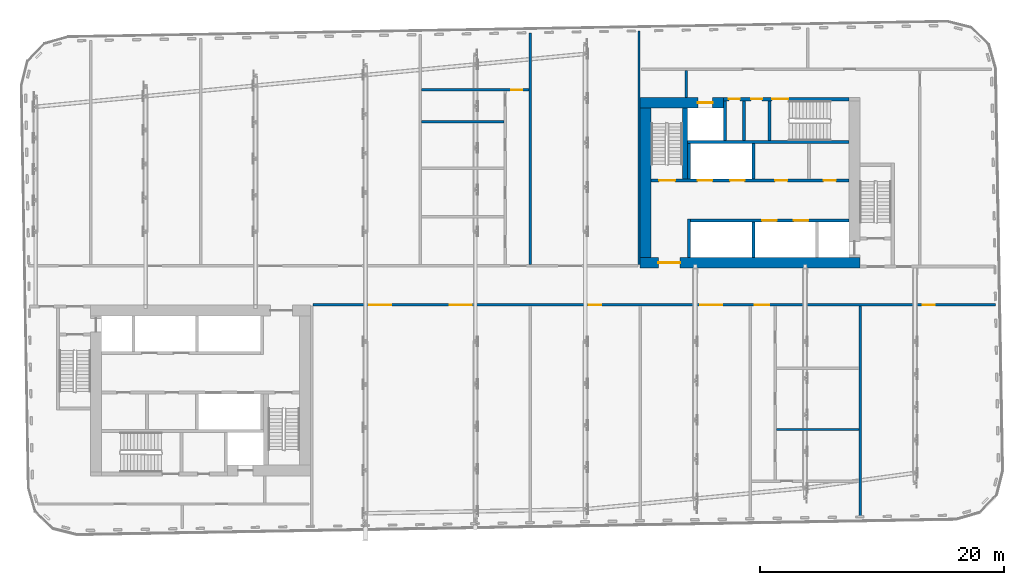
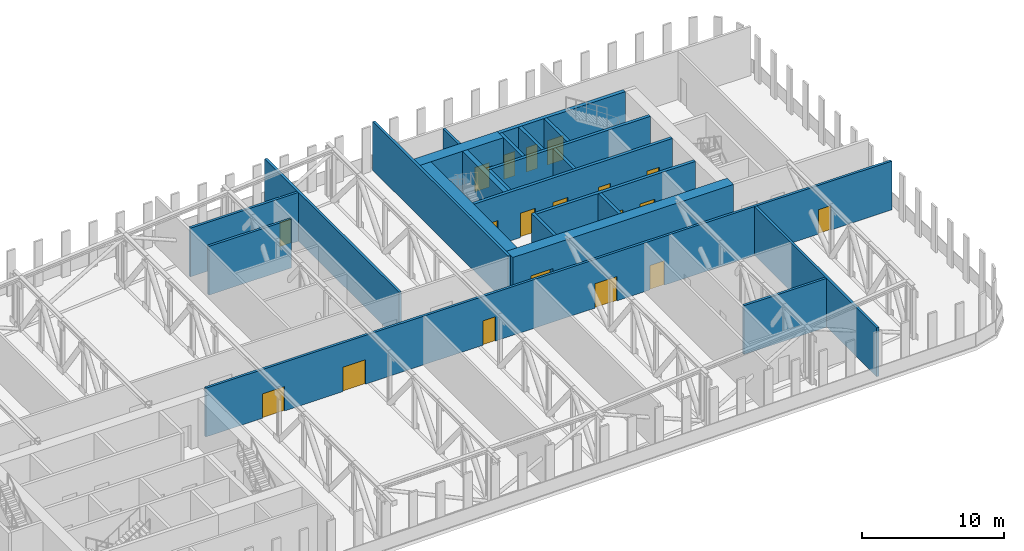
# One storey, part 12 of 26: 23 walls, 19 doors, 19 openings.
"""IFC4 building model written with IfcOpenShell, lengths in metres."""

import ifcopenshell
import ifcopenshell.guid

model = None  # the IFC model being written
_history = None  # IfcOwnerHistory: only IFC2X3 demands one
_inside = {}  # id of a spatial element -> (the spatial element, [elements in it])
_under = {}  # id of a project, library or spatial element -> (it, [spatial elements below it])
_declared = {}  # id of a project -> (the project, [libraries it declares])
_typed = {}  # id of a type object -> (the type object, [elements of that type])
_made_of = {}  # id of a material, layer set ... -> (it, [elements and type objects made of it])


def new_model(schema):
    """Start an empty IFC model of exactly this schema.

    Asked for "IFC4X3", IfcOpenShell would pick the latest addendum, in which some entities
    have other attributes; the version numbers below select the first issue.
    IFC2X3 requires an IfcOwnerHistory on every rooted entity: one is made here for all.
    """
    global model, _history
    if schema == "IFC4X3":
        model = ifcopenshell.file(schema_version=(4, 3, 0, 0))
    else:
        model = ifcopenshell.file(schema=schema)
    _inside.clear()
    _under.clear()
    _declared.clear()
    _typed.clear()
    _made_of.clear()
    _history = None
    if model.schema == "IFC2X3":
        org = make("IfcOrganization", Name="unknown")
        user = make(
            "IfcPersonAndOrganization",
            ThePerson=make("IfcPerson", FamilyName="unknown"),
            TheOrganization=org,
        )
        app = make(
            "IfcApplication",
            ApplicationDeveloper=org,
            Version="unknown",
            ApplicationFullName="unknown",
            ApplicationIdentifier="unknown",
        )
        _history = make(
            "IfcOwnerHistory",
            OwningUser=user,
            OwningApplication=app,
            ChangeAction="ADDED",
            CreationDate=0,
        )
    return model


def make(cls, **values):
    """One entity of the class cls with the attributes given. An attribute that is None is left unset."""
    return model.create_entity(
        cls, **{name: value for name, value in values.items() if value is not None}
    )


def rooted(cls, **values):
    """An entity with a GlobalId (a new one), such as an element, a storey or a relation."""
    return make(cls, GlobalId=ifcopenshell.guid.new(), OwnerHistory=_history, **values)


def si_unit(unit_type, name, prefix=None):
    """IfcSIUnit, for example si_unit("LENGTHUNIT", "METRE", prefix="MILLI")."""
    return make("IfcSIUnit", UnitType=unit_type, Prefix=prefix, Name=name)


def assignment(units):
    """IfcUnitAssignment: the units of a project."""
    return None if units is None else make("IfcUnitAssignment", Units=units)


def point(xyz):
    """IfcCartesianPoint."""
    return None if xyz is None else make("IfcCartesianPoint", Coordinates=xyz)


def direction(xyz):
    """IfcDirection."""
    return None if xyz is None else make("IfcDirection", DirectionRatios=xyz)


def frame(location, z_axis=None, x_axis=None):
    """IfcAxis2Placement3D, a coordinate frame: its origin and axes. An axis left out is left unset."""
    return make(
        "IfcAxis2Placement3D",
        Location=point(location),
        Axis=direction(z_axis),
        RefDirection=direction(x_axis),
    )


def frame_2d(location, x_axis=None):
    """IfcAxis2Placement2D, a coordinate frame in the plane: its origin and x axis."""
    return make(
        "IfcAxis2Placement2D", Location=point(location), RefDirection=direction(x_axis)
    )


def origin():
    """The frame at (0, 0, 0) with its axes left unset."""
    return frame((0.0, 0.0, 0.0))


def place(relative_to, where):
    """IfcLocalPlacement: puts the frame where relative to a parent placement (None: the world)."""
    return make(
        "IfcLocalPlacement", PlacementRelTo=relative_to, RelativePlacement=where
    )


def context(
    kind, dimensions, precision=None, world=None, true_north=None, identifier=None
):
    """IfcGeometricRepresentationContext, for example the 3D "Model" context."""
    return make(
        "IfcGeometricRepresentationContext",
        ContextIdentifier=identifier,
        ContextType=kind,
        CoordinateSpaceDimension=dimensions,
        Precision=precision,
        WorldCoordinateSystem=world,
        TrueNorth=true_north,
    )


def subcontext(parent, identifier, kind, view, scale=None):
    """IfcGeometricRepresentationSubContext, for example "Body" below "Model"."""
    return make(
        "IfcGeometricRepresentationSubContext",
        ContextIdentifier=identifier,
        ContextType=kind,
        ParentContext=parent,
        TargetScale=scale,
        TargetView=view,
    )


def project(units=None, contexts=None):
    """IfcProject with its units and contexts."""
    return rooted(
        "IfcProject",
        Name="project",
        RepresentationContexts=contexts,
        UnitsInContext=assignment(units),
    )


def spatial(cls, under=None, at=None, **own):
    """A site, building, storey or space (cls), placed at a placement, below another one or the project."""
    s = rooted(cls, ObjectPlacement=at, **own)
    if under is not None:
        _under.setdefault(under.id(), (under, []))[1].append(s)
    return s


def profile(cls, at=None, kind="AREA", **sizes):
    """A parametric profile (cls). Its sizes go by their IFC names, for example OverallWidth=200.0."""
    return make(cls, ProfileType=kind, Position=at, **sizes)


def rectangle(**sizes):
    """IfcRectangleProfileDef."""
    return profile("IfcRectangleProfileDef", **sizes)


def extrude(swept, where, along, depth):
    """IfcExtrudedAreaSolid: the profile swept, set in the frame where, extruded along a direction by depth."""
    return make(
        "IfcExtrudedAreaSolid",
        SweptArea=swept,
        Position=where,
        ExtrudedDirection=direction(along),
        Depth=depth,
    )


def shape(context_of_items, identifier, shape_type, items):
    """IfcShapeRepresentation: the items that make up one representation, for example the "Body"."""
    return make(
        "IfcShapeRepresentation",
        ContextOfItems=context_of_items,
        RepresentationIdentifier=identifier,
        RepresentationType=shape_type,
        Items=items,
    )


def material(Name=None, Category=None):
    """IfcMaterial."""
    return make("IfcMaterial", Name=Name, Category=Category)


def layer(
    of_material, thickness, ventilated=None, Name=None, Category=None, Priority=None
):
    """IfcMaterialLayer: one layer of a wall or slab, of a material (None: an air gap)."""
    return make(
        "IfcMaterialLayer",
        Material=of_material,
        LayerThickness=thickness,
        IsVentilated=ventilated,
        Name=Name,
        Category=Category,
        Priority=Priority,
    )


def layer_set(layers, Name=None):
    """IfcMaterialLayerSet."""
    return make("IfcMaterialLayerSet", MaterialLayers=layers, LayerSetName=Name)


def made_of(thing, what):
    """Note that an element or type object is made of a material, layer set ...; save() writes the relation."""
    if what is not None:
        _made_of.setdefault(what.id(), (what, []))[1].append(thing)
    return thing


def type_object(cls, material=None, **own):
    """A type object (cls), such as IfcWallType, which elements share."""
    return made_of(rooted(cls, **own), material)


def element(
    cls,
    number,
    at=None,
    inside=None,
    cuts=None,
    type_object=None,
    material=None,
    context=None,
    identifier="Body",
    shape_type=None,
    held_by="IfcProductDefinitionShape",
    body=None,
    shapes=None,
    **own,
):
    """One element of the class cls, such as IfcWall. Its Tag is "e" and its number.

    at: its placement. inside: the storey or other place that contains it. cuts: it is an
    opening in that element (IfcRelVoidsElement). A single representation is given by context,
    identifier, shape_type and body (its items); several are given by shapes. held_by: the class
    of the entity that holds the representations. save() writes the other relations.
    """
    e = rooted(cls, Tag="e%d" % number, ObjectPlacement=at, **own)
    if body is not None:
        shapes = [shape(context, identifier, shape_type, body)]
    if shapes is not None:
        e.Representation = make(held_by, Representations=shapes)
    if inside is not None:
        _inside.setdefault(inside.id(), (inside, []))[1].append(e)
    if cuts is not None:
        rooted(
            "IfcRelVoidsElement", RelatingBuildingElement=cuts, RelatedOpeningElement=e
        )
    if type_object is not None:
        _typed.setdefault(type_object.id(), (type_object, []))[1].append(e)
    return made_of(e, material)


def fill(opening, filler):
    """IfcRelFillsElement: the door or window that sits in an opening."""
    return rooted(
        "IfcRelFillsElement",
        RelatingOpeningElement=opening,
        RelatedBuildingElement=filler,
    )


def aggregate(whole, parts):
    """IfcRelAggregates: a whole, such as a stair, and the parts it consists of."""
    return rooted("IfcRelAggregates", RelatingObject=whole, RelatedObjects=parts)


def save(model, path):
    """Write the relations noted so far, then the file.

    IfcRelAggregates (storeys below a building ...), IfcRelContainedInSpatialStructure (elements
    in a storey), IfcRelDefinesByType, IfcRelAssociatesMaterial and IfcRelDeclares: one each for
    every whole, place, type object, material and project.
    """
    for whole, parts in _under.values():
        aggregate(whole, parts)
    for where, things in _inside.values():
        rooted(
            "IfcRelContainedInSpatialStructure",
            RelatedElements=things,
            RelatingStructure=where,
        )
    for kind, things in _typed.values():
        rooted("IfcRelDefinesByType", RelatedObjects=things, RelatingType=kind)
    for what, things in _made_of.values():
        rooted("IfcRelAssociatesMaterial", RelatedObjects=things, RelatingMaterial=what)
    for by, libraries in _declared.values():
        rooted("IfcRelDeclares", RelatingContext=by, RelatedDefinitions=libraries)
    model.write(path)


model = new_model("IFC4")

# Units and contexts
model_context = context("Model", 3, precision=1e-05, world=origin(), true_north=direction((0.0, 1.0)))
body_context = subcontext(model_context, "Body", "Model", "MODEL_VIEW")
ifc_project = project(units=[si_unit("LENGTHUNIT", "METRE"), si_unit("AREAUNIT", "SQUARE_METRE"), si_unit("VOLUMEUNIT", "CUBIC_METRE"), si_unit("PLANEANGLEUNIT", "RADIAN"), si_unit("MASSUNIT", "GRAM", prefix="KILO")], contexts=[model_context])

# Site, building, storey
site_placement = place(None, origin())
site = spatial("IfcSite", under=ifc_project, at=site_placement, CompositionType="ELEMENT")
building_placement = place(site_placement, origin())
building = spatial("IfcBuilding", under=site, at=building_placement, Name="Kajstack Hotel Tower", CompositionType="ELEMENT")
storey_placement = place(building_placement, frame((0.0, 0.0, 257.300048828125)))
storey = spatial("IfcBuildingStorey", under=building, at=storey_placement, Name="L64", CompositionType="ELEMENT", Elevation=257.300048828125)

# Wall, opening, door
ifc_material_1 = material(Name="Concrete C60/75", Category="concrete")
ifc_layer_1 = layer(ifc_material_1, 0.89990234375)
ifc_layer_set_1 = layer_set([ifc_layer_1], Name="Core wall 900")
wall_type_1 = type_object("IfcWallType", Name="Core wall 900", PredefinedType="SHEAR", material=ifc_layer_set_1)
wall_1_placement = place(storey_placement, frame((13.5, 1.949951171875, 0.0), z_axis=(0.0, 0.0, 1.0), x_axis=(1.0, 0.0, 0.0)))
wall_1 = element("IfcWall", 1, at=wall_1_placement, inside=storey, type_object=wall_type_1, Name="Core wall E RN", PredefinedType="SHEAR", context=body_context, shape_type="SweptSolid", body=[
    extrude(rectangle(XDim=18.0, YDim=0.89990234375, at=frame_2d((9.0, 0.0))), origin(), (0.0, 0.0, 1.0), 4.199951171875),
])
opening_1_placement = place(wall_1_placement, frame((1.47509765625, 0.0, 0.0)))
opening_1 = element("IfcOpeningElement", 2, at=opening_1_placement, cuts=wall_1, Name="Opening 64E07", PredefinedType="OPENING", context=body_context, shape_type="SweptSolid", body=[
    extrude(rectangle(XDim=1.800048828125, YDim=2.10009765625, at=frame_2d((0.89990234375, 1.050048828125))), frame((0.0, 0.4599609375, 0.0), z_axis=(0.0, -1.0, 0.0), x_axis=(1.0, 0.0, 0.0)), (0.0, 0.0, 1.0), 0.919921875),
])
ifc_material_2 = material(Name="Glazed steel frame, fire-rated glass", Category="steel")
door_type_1 = type_object("IfcDoorType", Name="Lobby double door 1800", OperationType="DOUBLE_DOOR_DOUBLE_SWING", PredefinedType="DOOR", material=ifc_material_2)
door_1_placement = place(opening_1_placement, origin())
door_1 = element("IfcDoor", 3, at=door_1_placement, inside=storey, type_object=door_type_1, Name="Door 64E07", OperationType="DOUBLE_DOOR_DOUBLE_SWING", OverallHeight=2.10009765625, OverallWidth=1.800048828125, PredefinedType="DOOR", context=body_context, shape_type="SweptSolid", body=[
    extrude(rectangle(XDim=1.800048828125, YDim=2.10009765625, at=frame_2d((0.89990234375, 1.050048828125))), frame((0.0, 0.02490234375, 0.0), z_axis=(0.0, -1.0, 0.0), x_axis=(1.0, 0.0, 0.0)), (0.0, 0.0, 1.0), 0.050048828125),
])
fill(opening_1, door_1)

wall_2_placement = place(storey_placement, frame((13.5, 15.050048828125, 0.0), z_axis=(0.0, 0.0, 1.0), x_axis=(1.0, 0.0, 0.0)))
wall_2 = element("IfcWall", 4, at=wall_2_placement, inside=storey, type_object=wall_type_1, Name="Core wall E RS", PredefinedType="SHEAR", context=body_context, shape_type="SweptSolid", body=[
    extrude(rectangle(XDim=6.800048828125, YDim=0.89990234375, at=frame_2d((3.39990234375, 0.0))), origin(), (0.0, 0.0, 1.0), 4.199951171875),
])
opening_2_placement = place(wall_2_placement, frame((4.72509765625, 0.0, 0.0)))
opening_2 = element("IfcOpeningElement", 5, at=opening_2_placement, cuts=wall_2, Name="Opening LD-SV2", PredefinedType="OPENING", context=body_context, shape_type="SweptSolid", body=[
    extrude(rectangle(XDim=1.199951171875, YDim=2.10009765625, at=frame_2d((0.60009765625, 1.050048828125))), frame((0.0, 0.4599609375, 0.0), z_axis=(0.0, -1.0, 0.0), x_axis=(1.0, 0.0, 0.0)), (0.0, 0.0, 1.0), 0.919921875),
])
ifc_material_3 = material(Name="Stainless steel", Category="steel")
door_type_2 = type_object("IfcDoorType", Name="Lift landing door 1200", OperationType="SLIDING_TO_LEFT", PredefinedType="DOOR", material=ifc_material_3)
door_2_placement = place(opening_2_placement, origin())
door_2 = element("IfcDoor", 6, at=door_2_placement, inside=storey, type_object=door_type_2, Name="Landing door SV2", OperationType="SLIDING_TO_LEFT", OverallHeight=2.10009765625, OverallWidth=1.199951171875, PredefinedType="DOOR", context=body_context, shape_type="SweptSolid", body=[
    extrude(rectangle(XDim=1.199951171875, YDim=2.10009765625, at=frame_2d((0.60009765625, 1.050048828125))), frame((0.0, 0.02490234375, 0.0), z_axis=(0.0, -1.0, 0.0), x_axis=(1.0, 0.0, 0.0)), (0.0, 0.0, 1.0), 0.050048828125),
])
fill(opening_2, door_2)

# Walls
wall_3_placement = place(storey_placement, frame((13.949951171875, 2.39990234375, 0.0), z_axis=(0.0, 0.0, 1.0), x_axis=(0.0, 1.0, 0.0)))
element("IfcWall", 7, at=wall_3_placement, inside=storey, type_object=wall_type_1, Name="Core wall E RE", PredefinedType="SHEAR", context=body_context, shape_type="SweptSolid", body=[
    extrude(rectangle(XDim=12.2001953125, YDim=0.89990234375, at=frame_2d((6.10009765625, 0.0))), origin(), (0.0, 0.0, 1.0), 4.199951171875),
])
ifc_material_4 = material(Name="Concrete C50/60", Category="concrete")
ifc_layer_2 = layer(ifc_material_4, 0.300048828125)
ifc_layer_set_2 = layer_set([ifc_layer_2], Name="Hoistway divider wall 300")
wall_type_2 = type_object("IfcWallType", Name="Hoistway divider wall 300", PredefinedType="SHEAR", material=ifc_layer_set_2)
wall_4_placement = place(storey_placement, frame((22.77490234375, 2.39990234375, 0.0), z_axis=(0.0, 0.0, 1.0), x_axis=(0.0, 1.0, 0.0)))
element("IfcWall", 8, at=wall_4_placement, inside=storey, type_object=wall_type_2, Name="Core wall E AP2", PredefinedType="SHEAR", context=body_context, shape_type="SweptSolid", body=[
    extrude(rectangle(XDim=2.900146484375, YDim=0.25, at=frame_2d((1.4501953125, 0.0))), origin(), (0.0, 0.0, 1.0), 4.199951171875),
])
wall_5_placement = place(storey_placement, frame((22.77490234375, 8.800048828125, 0.0), z_axis=(0.0, 0.0, 1.0), x_axis=(0.0, 1.0, 0.0)))
element("IfcWall", 9, at=wall_5_placement, inside=storey, type_object=wall_type_2, Name="Core wall E BP2", PredefinedType="SHEAR", context=body_context, shape_type="SweptSolid", body=[
    extrude(rectangle(XDim=2.89990234375, YDim=0.25, at=frame_2d((1.449951171875, 0.0))), origin(), (0.0, 0.0, 1.0), 4.199951171875),
])
ifc_material_5 = material(Name="Gypsum board on steel studs, mineral wool", Category="steel")
ifc_layer_3 = layer(ifc_material_5, 0.199951171875)
ifc_layer_set_3 = layer_set([ifc_layer_3], Name="Public partition 200")
wall_type_3 = type_object("IfcWallType", Name="Public partition 200", PredefinedType="PARTITIONING", material=ifc_layer_set_3)
wall_6_placement = place(storey_placement, frame((4.5, 1.800048828125, 0.0), z_axis=(0.0, 0.0, 1.0), x_axis=(0.0, 1.0, 0.0)))
element("IfcWall", 10, at=wall_6_placement, inside=storey, type_object=wall_type_3, Name="Partition PX0", PredefinedType="PARTITIONING", context=body_context, shape_type="SweptSolid", body=[
    extrude(rectangle(XDim=18.979248046875, YDim=0.199951171875, at=frame_2d((9.48974609375, 0.0))), origin(), (0.0, 0.0, 1.0), 4.199951171875),
])
wall_7_placement = place(storey_placement, frame((-4.39990234375, 13.5, 0.0), z_axis=(0.0, 0.0, 1.0), x_axis=(1.0, 0.0, 0.0)))
element("IfcWall", 11, at=wall_7_placement, inside=storey, type_object=wall_type_3, Name="Partition C1wP2", PredefinedType="PARTITIONING", context=body_context, shape_type="SweptSolid", body=[
    extrude(rectangle(XDim=6.75, YDim=0.199951171875, at=frame_2d((3.375, 0.0))), origin(), (0.0, 0.0, 1.0), 4.199951171875),
])

# Wall, opening, door
wall_8_placement = place(storey_placement, frame((-4.39990234375, 16.100830078125, 0.0), z_axis=(0.0, 0.0, 1.0), x_axis=(1.0, 0.0, 0.0)))
wall_8 = element("IfcWall", 12, at=wall_8_placement, inside=storey, type_object=wall_type_3, Name="Partition C1BW", PredefinedType="PARTITIONING", context=body_context, shape_type="SweptSolid", body=[
    extrude(rectangle(XDim=8.7998046875, YDim=0.199951171875, at=frame_2d((4.39990234375, 0.0))), origin(), (0.0, 0.0, 1.0), 4.199951171875),
])
opening_3_placement = place(wall_8_placement, frame((7.324951171875, 0.0, 0.0)))
opening_3 = element("IfcOpeningElement", 13, at=opening_3_placement, cuts=wall_8, Name="Opening 64P07", PredefinedType="OPENING", context=body_context, shape_type="SweptSolid", body=[
    extrude(rectangle(XDim=0.89990234375, YDim=2.10009765625, at=frame_2d((0.449951171875, 1.050048828125))), frame((0.0, 0.10986328125, 0.0), z_axis=(0.0, -1.0, 0.0), x_axis=(1.0, 0.0, 0.0)), (0.0, 0.0, 1.0), 0.219970703125),
])
ifc_material_6 = material(Name="Timber leaf", Category="wood")
door_type_3 = type_object("IfcDoorType", Name="Public room door 900", OperationType="SINGLE_SWING_LEFT", PredefinedType="DOOR", material=ifc_material_6)
door_3_placement = place(opening_3_placement, origin())
door_3 = element("IfcDoor", 14, at=door_3_placement, inside=storey, type_object=door_type_3, Name="Door 64P07", OperationType="SINGLE_SWING_LEFT", OverallHeight=2.10009765625, OverallWidth=0.89990234375, PredefinedType="DOOR", context=body_context, shape_type="SweptSolid", body=[
    extrude(rectangle(XDim=0.89990234375, YDim=2.10009765625, at=frame_2d((0.449951171875, 1.050048828125))), frame((0.0, 0.02490234375, 0.0), z_axis=(0.0, -1.0, 0.0), x_axis=(1.0, 0.0, 0.0)), (0.0, 0.0, 1.0), 0.050048828125),
])
fill(opening_3, door_3)

# Walls
wall_9_placement = place(storey_placement, frame((13.39990234375, 1.800048828125, 0.0), z_axis=(0.0, 0.0, 1.0), x_axis=(0.0, 1.0, 0.0)))
element("IfcWall", 15, at=wall_9_placement, inside=storey, type_object=wall_type_3, Name="Partition EW", PredefinedType="PARTITIONING", context=body_context, shape_type="SweptSolid", body=[
    extrude(rectangle(XDim=19.131103515625, YDim=0.199951171875, at=frame_2d((9.5654296875, 0.0))), origin(), (0.0, 0.0, 1.0), 4.199951171875),
])
wall_10_placement = place(storey_placement, frame((24.64990234375, -11.699951171875, 0.0), z_axis=(0.0, 0.0, 1.0), x_axis=(1.0, 0.0, 0.0)))
element("IfcWall", 16, at=wall_10_placement, inside=storey, type_object=wall_type_3, Name="Partition SC3wP1", PredefinedType="PARTITIONING", context=body_context, shape_type="SweptSolid", body=[
    extrude(rectangle(XDim=6.75, YDim=0.199951171875, at=frame_2d((3.375, 0.0))), origin(), (0.0, 0.0, 1.0), 4.199951171875),
])
wall_11_placement = place(storey_placement, frame((31.5, -18.855712890625, 0.0), z_axis=(0.0, 0.0, 1.0), x_axis=(0.0, 1.0, 0.0)))
element("IfcWall", 17, at=wall_11_placement, inside=storey, type_object=wall_type_3, Name="Partition SPX3", PredefinedType="PARTITIONING", context=body_context, shape_type="SweptSolid", body=[
    extrude(rectangle(XDim=17.255615234375, YDim=0.199951171875, at=frame_2d((8.6279296875, 0.0))), origin(), (0.0, 0.0, 1.0), 4.199951171875),
])

# Wall, openings, doors
wall_12_placement = place(storey_placement, frame((-13.300048828125, -1.5, 0.0), z_axis=(0.0, 0.0, 1.0), x_axis=(1.0, 0.0, 0.0)))
wall_12 = element("IfcWall", 18, at=wall_12_placement, inside=storey, type_object=wall_type_3, Name="Partition SFW", PredefinedType="PARTITIONING", context=body_context, shape_type="SweptSolid", body=[
    extrude(rectangle(XDim=55.896240234375, YDim=0.199951171875, at=frame_2d((27.9482421875, 0.0))), origin(), (0.0, 0.0, 1.0), 4.199951171875),
])
opening_4_placement = place(wall_12_placement, frame((4.610107421875, 0.0, 0.0)))
opening_4 = element("IfcOpeningElement", 19, at=opening_4_placement, cuts=wall_12, Name="Opening 64P12", PredefinedType="OPENING", context=body_context, shape_type="SweptSolid", body=[
    extrude(rectangle(XDim=1.800048828125, YDim=2.10009765625, at=frame_2d((0.89990234375, 1.050048828125))), frame((0.0, 0.10986328125, 0.0), z_axis=(0.0, -1.0, 0.0), x_axis=(1.0, 0.0, 0.0)), (0.0, 0.0, 1.0), 0.219970703125),
])
opening_5_placement = place(wall_12_placement, frame((11.18994140625, 0.0, 0.0)))
opening_5 = element("IfcOpeningElement", 20, at=opening_5_placement, cuts=wall_12, Name="Opening 64P13", PredefinedType="OPENING", context=body_context, shape_type="SweptSolid", body=[
    extrude(rectangle(XDim=1.800048828125, YDim=2.10009765625, at=frame_2d((0.89990234375, 1.050048828125))), frame((0.0, 0.10986328125, 0.0), z_axis=(0.0, -1.0, 0.0), x_axis=(1.0, 0.0, 0.0)), (0.0, 0.0, 1.0), 0.219970703125),
])
opening_6_placement = place(wall_12_placement, frame((22.60009765625, 0.0, 0.0)))
opening_6 = element("IfcOpeningElement", 21, at=opening_6_placement, cuts=wall_12, Name="Opening 64P14", PredefinedType="OPENING", context=body_context, shape_type="SweptSolid", body=[
    extrude(rectangle(XDim=1.0, YDim=2.10009765625, at=frame_2d((0.5, 1.050048828125))), frame((0.0, 0.10986328125, 0.0), z_axis=(0.0, -1.0, 0.0), x_axis=(1.0, 0.0, 0.0)), (0.0, 0.0, 1.0), 0.219970703125),
])
opening_7_placement = place(wall_12_placement, frame((31.699951171875, 0.0, 0.0)))
opening_7 = element("IfcOpeningElement", 22, at=opening_7_placement, cuts=wall_12, Name="Opening 64P15", PredefinedType="OPENING", context=body_context, shape_type="SweptSolid", body=[
    extrude(rectangle(XDim=1.800048828125, YDim=2.10009765625, at=frame_2d((0.89990234375, 1.050048828125))), frame((0.0, 0.10986328125, 0.0), z_axis=(0.0, -1.0, 0.0), x_axis=(1.0, 0.0, 0.0)), (0.0, 0.0, 1.0), 0.219970703125),
])
opening_8_placement = place(wall_12_placement, frame((36.175048828125, 0.0, 0.0)))
opening_8 = element("IfcOpeningElement", 23, at=opening_8_placement, cuts=wall_12, Name="Opening 64P16", PredefinedType="OPENING", context=body_context, shape_type="SweptSolid", body=[
    extrude(rectangle(XDim=1.199951171875, YDim=2.10009765625, at=frame_2d((0.60009765625, 1.050048828125))), frame((0.0, 0.10986328125, 0.0), z_axis=(0.0, -1.0, 0.0), x_axis=(1.0, 0.0, 0.0)), (0.0, 0.0, 1.0), 0.219970703125),
])
opening_9_placement = place(wall_12_placement, frame((49.927978515625, 0.0, 0.0)))
opening_9 = element("IfcOpeningElement", 24, at=opening_9_placement, cuts=wall_12, Name="Opening 64P21", PredefinedType="OPENING", context=body_context, shape_type="SweptSolid", body=[
    extrude(rectangle(XDim=1.0, YDim=2.10009765625, at=frame_2d((0.5, 1.050048828125))), frame((0.0, 0.10986328125, 0.0), z_axis=(0.0, -1.0, 0.0), x_axis=(1.0, 0.0, 0.0)), (0.0, 0.0, 1.0), 0.219970703125),
])
ifc_material_7 = material(Name="Timber leaf, fire-rated", Category="wood")
door_type_4 = type_object("IfcDoorType", Name="Public corridor door 1200", OperationType="SINGLE_SWING_LEFT", PredefinedType="DOOR", material=ifc_material_7)
door_4_placement = place(opening_8_placement, origin())
door_4 = element("IfcDoor", 25, at=door_4_placement, inside=storey, type_object=door_type_4, Name="Door 64P16", OperationType="SINGLE_SWING_RIGHT", OverallHeight=2.10009765625, OverallWidth=1.199951171875, PredefinedType="DOOR", context=body_context, shape_type="SweptSolid", body=[
    extrude(rectangle(XDim=1.199951171875, YDim=2.10009765625, at=frame_2d((0.60009765625, 1.050048828125))), frame((0.0, 0.02490234375, 0.0), z_axis=(0.0, -1.0, 0.0), x_axis=(1.0, 0.0, 0.0)), (0.0, 0.0, 1.0), 0.050048828125),
])
fill(opening_8, door_4)
ifc_material_8 = material(Name="Glazed timber frame, fire-rated glass", Category="wood")
door_type_5 = type_object("IfcDoorType", Name="Public double door 1800", OperationType="DOUBLE_DOOR_DOUBLE_SWING", PredefinedType="DOOR", material=ifc_material_8)
door_5_placement = place(opening_4_placement, origin())
door_5 = element("IfcDoor", 26, at=door_5_placement, inside=storey, type_object=door_type_5, Name="Door 64P12", OperationType="DOUBLE_DOOR_DOUBLE_SWING", OverallHeight=2.10009765625, OverallWidth=1.800048828125, PredefinedType="DOOR", context=body_context, shape_type="SweptSolid", body=[
    extrude(rectangle(XDim=1.800048828125, YDim=2.10009765625, at=frame_2d((0.89990234375, 1.050048828125))), frame((0.0, 0.02490234375, 0.0), z_axis=(0.0, -1.0, 0.0), x_axis=(1.0, 0.0, 0.0)), (0.0, 0.0, 1.0), 0.050048828125),
])
fill(opening_4, door_5)
door_6_placement = place(opening_5_placement, origin())
door_6 = element("IfcDoor", 27, at=door_6_placement, inside=storey, type_object=door_type_5, Name="Door 64P13", OperationType="DOUBLE_DOOR_DOUBLE_SWING", OverallHeight=2.10009765625, OverallWidth=1.800048828125, PredefinedType="DOOR", context=body_context, shape_type="SweptSolid", body=[
    extrude(rectangle(XDim=1.800048828125, YDim=2.10009765625, at=frame_2d((0.89990234375, 1.050048828125))), frame((0.0, 0.02490234375, 0.0), z_axis=(0.0, -1.0, 0.0), x_axis=(1.0, 0.0, 0.0)), (0.0, 0.0, 1.0), 0.050048828125),
])
fill(opening_5, door_6)
door_7_placement = place(opening_7_placement, origin())
door_7 = element("IfcDoor", 28, at=door_7_placement, inside=storey, type_object=door_type_5, Name="Door 64P15", OperationType="DOUBLE_DOOR_DOUBLE_SWING", OverallHeight=2.10009765625, OverallWidth=1.800048828125, PredefinedType="DOOR", context=body_context, shape_type="SweptSolid", body=[
    extrude(rectangle(XDim=1.800048828125, YDim=2.10009765625, at=frame_2d((0.89990234375, 1.050048828125))), frame((0.0, 0.02490234375, 0.0), z_axis=(0.0, -1.0, 0.0), x_axis=(1.0, 0.0, 0.0)), (0.0, 0.0, 1.0), 0.050048828125),
])
fill(opening_7, door_7)
door_type_6 = type_object("IfcDoorType", Name="Public room door 1000", OperationType="SINGLE_SWING_LEFT", PredefinedType="DOOR", material=ifc_material_6)
door_8_placement = place(opening_6_placement, origin())
door_8 = element("IfcDoor", 29, at=door_8_placement, inside=storey, type_object=door_type_6, Name="Door 64P14", OperationType="SINGLE_SWING_RIGHT", OverallHeight=2.10009765625, OverallWidth=1.0, PredefinedType="DOOR", context=body_context, shape_type="SweptSolid", body=[
    extrude(rectangle(XDim=1.0, YDim=2.10009765625, at=frame_2d((0.5, 1.050048828125))), frame((0.0, 0.02490234375, 0.0), z_axis=(0.0, -1.0, 0.0), x_axis=(1.0, 0.0, 0.0)), (0.0, 0.0, 1.0), 0.050048828125),
])
fill(opening_6, door_8)
door_9_placement = place(opening_9_placement, origin())
door_9 = element("IfcDoor", 30, at=door_9_placement, inside=storey, type_object=door_type_6, Name="Door 64P21", OperationType="SINGLE_SWING_RIGHT", OverallHeight=2.10009765625, OverallWidth=1.0, PredefinedType="DOOR", context=body_context, shape_type="SweptSolid", body=[
    extrude(rectangle(XDim=1.0, YDim=2.10009765625, at=frame_2d((0.5, 1.050048828125))), frame((0.0, 0.02490234375, 0.0), z_axis=(0.0, -1.0, 0.0), x_axis=(1.0, 0.0, 0.0)), (0.0, 0.0, 1.0), 0.050048828125),
])
fill(opening_9, door_9)

# Walls
ifc_material_9 = material(Name="Concrete block masonry", Category="masonry")
ifc_layer_4 = layer(ifc_material_9, 0.25)
ifc_layer_set_4 = layer_set([ifc_layer_4], Name="Riser partition 250")
wall_type_4 = type_object("IfcWallType", Name="Riser partition 250", PredefinedType="PARTITIONING", material=ifc_layer_set_4)
wall_13_placement = place(storey_placement, frame((22.0, 11.949951171875, 0.0), z_axis=(0.0, 0.0, 1.0), x_axis=(0.0, 1.0, 0.0)))
element("IfcWall", 31, at=wall_13_placement, inside=storey, type_object=wall_type_4, Name="Partition E SZ0", PredefinedType="PARTITIONING", context=body_context, shape_type="SweptSolid", body=[
    extrude(rectangle(XDim=3.25, YDim=0.25, at=frame_2d((1.625, 0.0))), origin(), (0.0, 0.0, 1.0), 4.199951171875),
])
ifc_layer_5 = layer(ifc_material_5, 0.199951171875)
ifc_layer_set_5 = layer_set([ifc_layer_5], Name="Service partition 200")
wall_type_5 = type_object("IfcWallType", Name="Service partition 200", PredefinedType="PARTITIONING", material=ifc_layer_set_5)
wall_14_placement = place(storey_placement, frame((17.25, 15.5, 0.0), z_axis=(0.0, 0.0, 1.0), x_axis=(0.0, 1.0, 0.0)))
element("IfcWall", 32, at=wall_14_placement, inside=storey, type_object=wall_type_5, Name="Partition E SCE", PredefinedType="PARTITIONING", context=body_context, shape_type="SweptSolid", body=[
    extrude(rectangle(XDim=2.199951171875, YDim=0.199951171875, at=frame_2d((1.10009765625, 0.0))), origin(), (0.0, 0.0, 1.0), 4.199951171875),
])

# Wall, openings, doors
ifc_layer_6 = layer(ifc_material_4, 0.25)
ifc_layer_set_6 = layer_set([ifc_layer_6], Name="Shaft wall 250")
wall_type_6 = type_object("IfcWallType", Name="Shaft wall 250", PredefinedType="SHEAR", material=ifc_layer_set_6)
wall_15_placement = place(storey_placement, frame((20.300048828125, 15.35009765625, 0.0), z_axis=(0.0, 0.0, 1.0), x_axis=(1.0, 0.0, 0.0)))
wall_15 = element("IfcWall", 33, at=wall_15_placement, inside=storey, type_object=wall_type_6, Name="Core wall E RSS", PredefinedType="SHEAR", context=body_context, shape_type="SweptSolid", body=[
    extrude(rectangle(XDim=10.300048828125, YDim=0.300048828125, at=frame_2d((5.14990234375, 0.0))), origin(), (0.0, 0.0, 1.0), 4.199951171875),
])
opening_10_placement = place(wall_15_placement, frame((4.0, 0.0, 0.0)))
opening_10 = element("IfcOpeningElement", 34, at=opening_10_placement, cuts=wall_15, Name="Opening 64E12", PredefinedType="OPENING", context=body_context, shape_type="SweptSolid", body=[
    extrude(rectangle(XDim=1.300048828125, YDim=2.10009765625, at=frame_2d((0.64990234375, 1.050048828125))), frame((0.0, 0.159912109375, 0.0), z_axis=(0.0, -1.0, 0.0), x_axis=(1.0, 0.0, 0.0)), (0.0, 0.0, 1.0), 0.320068359375),
])
opening_11_placement = place(wall_15_placement, frame((2.28759765625, 0.0, 0.0)))
opening_11 = element("IfcOpeningElement", 35, at=opening_11_placement, cuts=wall_15, Name="Opening 64E13", PredefinedType="OPENING", context=body_context, shape_type="SweptSolid", body=[
    extrude(rectangle(XDim=0.89990234375, YDim=2.10009765625, at=frame_2d((0.449951171875, 1.050048828125))), frame((0.0, 0.159912109375, 0.0), z_axis=(0.0, -1.0, 0.0), x_axis=(1.0, 0.0, 0.0)), (0.0, 0.0, 1.0), 0.320068359375),
])
opening_12_placement = place(wall_15_placement, frame((0.46240234375, 0.0, 0.0)))
opening_12 = element("IfcOpeningElement", 36, at=opening_12_placement, cuts=wall_15, Name="Opening 64E14", PredefinedType="OPENING", context=body_context, shape_type="SweptSolid", body=[
    extrude(rectangle(XDim=0.89990234375, YDim=2.10009765625, at=frame_2d((0.449951171875, 1.050048828125))), frame((0.0, 0.159912109375, 0.0), z_axis=(0.0, -1.0, 0.0), x_axis=(1.0, 0.0, 0.0)), (0.0, 0.0, 1.0), 0.320068359375),
])
door_type_7 = type_object("IfcDoorType", Name="Service door 900", OperationType="SINGLE_SWING_LEFT", PredefinedType="DOOR", material=ifc_material_7)
door_10_placement = place(opening_11_placement, origin())
door_10 = element("IfcDoor", 37, at=door_10_placement, inside=storey, type_object=door_type_7, Name="Door 64E13", OperationType="SINGLE_SWING_RIGHT", OverallHeight=2.10009765625, OverallWidth=0.89990234375, PredefinedType="DOOR", context=body_context, shape_type="SweptSolid", body=[
    extrude(rectangle(XDim=0.89990234375, YDim=2.10009765625, at=frame_2d((0.449951171875, 1.050048828125))), frame((0.0, 0.02490234375, 0.0), z_axis=(0.0, -1.0, 0.0), x_axis=(1.0, 0.0, 0.0)), (0.0, 0.0, 1.0), 0.050048828125),
])
fill(opening_11, door_10)
door_11_placement = place(opening_12_placement, origin())
door_11 = element("IfcDoor", 38, at=door_11_placement, inside=storey, type_object=door_type_7, Name="Door 64E14", OperationType="SINGLE_SWING_RIGHT", OverallHeight=2.10009765625, OverallWidth=0.89990234375, PredefinedType="DOOR", context=body_context, shape_type="SweptSolid", body=[
    extrude(rectangle(XDim=0.89990234375, YDim=2.10009765625, at=frame_2d((0.449951171875, 1.050048828125))), frame((0.0, 0.02490234375, 0.0), z_axis=(0.0, -1.0, 0.0), x_axis=(1.0, 0.0, 0.0)), (0.0, 0.0, 1.0), 0.050048828125),
])
fill(opening_12, door_11)
ifc_material_10 = material(Name="Steel leaf, fire-rated", Category="steel")
door_type_8 = type_object("IfcDoorType", Name="Stair door 1300", OperationType="SINGLE_SWING_LEFT", PredefinedType="DOOR", material=ifc_material_10)
door_12_placement = place(opening_10_placement, origin())
door_12 = element("IfcDoor", 39, at=door_12_placement, inside=storey, type_object=door_type_8, Name="Door 64E12", OperationType="SINGLE_SWING_LEFT", OverallHeight=2.10009765625, OverallWidth=1.300048828125, PredefinedType="DOOR", context=body_context, shape_type="SweptSolid", body=[
    extrude(rectangle(XDim=1.300048828125, YDim=2.10009765625, at=frame_2d((0.64990234375, 1.050048828125))), frame((0.0, 0.02490234375, 0.0), z_axis=(0.0, -1.0, 0.0), x_axis=(1.0, 0.0, 0.0)), (0.0, 0.0, 1.0), 0.050048828125),
])
fill(opening_10, door_12)

wall_16_placement = place(storey_placement, frame((17.60009765625, 5.425048828125, 0.0), z_axis=(0.0, 0.0, 1.0), x_axis=(1.0, 0.0, 0.0)))
wall_16 = element("IfcWall", 40, at=wall_16_placement, inside=storey, type_object=wall_type_6, Name="Core wall E FA", PredefinedType="SHEAR", context=body_context, shape_type="SweptSolid", body=[
    extrude(rectangle(XDim=13.0, YDim=0.25, at=frame_2d((6.5, 0.0))), origin(), (0.0, 0.0, 1.0), 4.199951171875),
])
opening_13_placement = place(wall_16_placement, frame((8.47509765625, 0.0, 0.0)))
opening_13 = element("IfcOpeningElement", 41, at=opening_13_placement, cuts=wall_16, Name="Opening LD-MR7", PredefinedType="OPENING", context=body_context, shape_type="SweptSolid", body=[
    extrude(rectangle(XDim=1.199951171875, YDim=2.10009765625, at=frame_2d((0.60009765625, 1.050048828125))), frame((0.0, 0.135009765625, 0.0), z_axis=(0.0, -1.0, 0.0), x_axis=(1.0, 0.0, 0.0)), (0.0, 0.0, 1.0), 0.27001953125),
])
opening_14_placement = place(wall_16_placement, frame((5.875, 0.0, 0.0)))
opening_14 = element("IfcOpeningElement", 42, at=opening_14_placement, cuts=wall_16, Name="Opening LD-MR8", PredefinedType="OPENING", context=body_context, shape_type="SweptSolid", body=[
    extrude(rectangle(XDim=1.199951171875, YDim=2.10009765625, at=frame_2d((0.60009765625, 1.050048828125))), frame((0.0, 0.135009765625, 0.0), z_axis=(0.0, -1.0, 0.0), x_axis=(1.0, 0.0, 0.0)), (0.0, 0.0, 1.0), 0.27001953125),
])
door_13_placement = place(opening_13_placement, origin())
door_13 = element("IfcDoor", 43, at=door_13_placement, inside=storey, type_object=door_type_2, Name="Landing door MR7", OperationType="SLIDING_TO_LEFT", OverallHeight=2.10009765625, OverallWidth=1.199951171875, PredefinedType="DOOR", context=body_context, shape_type="SweptSolid", body=[
    extrude(rectangle(XDim=1.199951171875, YDim=2.10009765625, at=frame_2d((0.60009765625, 1.050048828125))), frame((0.0, 0.02490234375, 0.0), z_axis=(0.0, -1.0, 0.0), x_axis=(1.0, 0.0, 0.0)), (0.0, 0.0, 1.0), 0.050048828125),
])
fill(opening_13, door_13)
door_14_placement = place(opening_14_placement, origin())
door_14 = element("IfcDoor", 44, at=door_14_placement, inside=storey, type_object=door_type_2, Name="Landing door MR8", OperationType="SLIDING_TO_RIGHT", OverallHeight=2.10009765625, OverallWidth=1.199951171875, PredefinedType="DOOR", context=body_context, shape_type="SweptSolid", body=[
    extrude(rectangle(XDim=1.199951171875, YDim=2.10009765625, at=frame_2d((0.60009765625, 1.050048828125))), frame((0.0, 0.02490234375, 0.0), z_axis=(0.0, -1.0, 0.0), x_axis=(1.0, 0.0, 0.0)), (0.0, 0.0, 1.0), 0.050048828125),
])
fill(opening_14, door_14)

# Wall
wall_17_placement = place(storey_placement, frame((17.47509765625, 2.39990234375, 0.0), z_axis=(0.0, 0.0, 1.0), x_axis=(0.0, 1.0, 0.0)))
element("IfcWall", 45, at=wall_17_placement, inside=storey, type_object=wall_type_6, Name="Core wall E AE", PredefinedType="SHEAR", context=body_context, shape_type="SweptSolid", body=[
    extrude(rectangle(XDim=3.150146484375, YDim=0.25, at=frame_2d((1.5751953125, 0.0))), origin(), (0.0, 0.0, 1.0), 4.199951171875),
])

# Wall, openings, doors
wall_18_placement = place(storey_placement, frame((14.39990234375, 8.675048828125, 0.0), z_axis=(0.0, 0.0, 1.0), x_axis=(1.0, 0.0, 0.0)))
wall_18 = element("IfcWall", 46, at=wall_18_placement, inside=storey, type_object=wall_type_6, Name="Core wall E FB", PredefinedType="SHEAR", context=body_context, shape_type="SweptSolid", body=[
    extrude(rectangle(XDim=16.2001953125, YDim=0.25, at=frame_2d((8.10009765625, 0.0))), origin(), (0.0, 0.0, 1.0), 4.199951171875),
])
opening_15_placement = place(wall_18_placement, frame((6.449951171875, 0.0, 0.0)))
opening_15 = element("IfcOpeningElement", 47, at=opening_15_placement, cuts=wall_18, Name="Opening LD-MR5", PredefinedType="OPENING", context=body_context, shape_type="SweptSolid", body=[
    extrude(rectangle(XDim=1.199951171875, YDim=2.10009765625, at=frame_2d((0.60009765625, 1.050048828125))), frame((0.0, 0.135009765625, 0.0), z_axis=(0.0, -1.0, 0.0), x_axis=(1.0, 0.0, 0.0)), (0.0, 0.0, 1.0), 0.27001953125),
])
opening_16_placement = place(wall_18_placement, frame((3.800048828125, 0.0, 0.0)))
opening_16 = element("IfcOpeningElement", 48, at=opening_16_placement, cuts=wall_18, Name="Opening LD-MR6", PredefinedType="OPENING", context=body_context, shape_type="SweptSolid", body=[
    extrude(rectangle(XDim=1.199951171875, YDim=2.10009765625, at=frame_2d((0.60009765625, 1.050048828125))), frame((0.0, 0.135009765625, 0.0), z_axis=(0.0, -1.0, 0.0), x_axis=(1.0, 0.0, 0.0)), (0.0, 0.0, 1.0), 0.27001953125),
])
opening_17_placement = place(wall_18_placement, frame((0.64990234375, 0.0, 0.0)))
opening_17 = element("IfcOpeningElement", 49, at=opening_17_placement, cuts=wall_18, Name="Opening 64E11", PredefinedType="OPENING", context=body_context, shape_type="SweptSolid", body=[
    extrude(rectangle(XDim=1.300048828125, YDim=2.10009765625, at=frame_2d((0.64990234375, 1.050048828125))), frame((0.0, 0.135009765625, 0.0), z_axis=(0.0, -1.0, 0.0), x_axis=(1.0, 0.0, 0.0)), (0.0, 0.0, 1.0), 0.27001953125),
])
opening_18_placement = place(wall_18_placement, frame((14.112548828125, 0.0, 0.0)))
opening_18 = element("IfcOpeningElement", 50, at=opening_18_placement, cuts=wall_18, Name="Opening 64E15", PredefinedType="OPENING", context=body_context, shape_type="SweptSolid", body=[
    extrude(rectangle(XDim=1.0, YDim=2.10009765625, at=frame_2d((0.5, 1.050048828125))), frame((0.0, 0.135009765625, 0.0), z_axis=(0.0, -1.0, 0.0), x_axis=(1.0, 0.0, 0.0)), (0.0, 0.0, 1.0), 0.27001953125),
])
opening_19_placement = place(wall_18_placement, frame((10.137451171875, 0.0, 0.0)))
opening_19 = element("IfcOpeningElement", 51, at=opening_19_placement, cuts=wall_18, Name="Opening 64E16", PredefinedType="OPENING", context=body_context, shape_type="SweptSolid", body=[
    extrude(rectangle(XDim=1.0, YDim=2.10009765625, at=frame_2d((0.5, 1.050048828125))), frame((0.0, 0.135009765625, 0.0), z_axis=(0.0, -1.0, 0.0), x_axis=(1.0, 0.0, 0.0)), (0.0, 0.0, 1.0), 0.27001953125),
])
door_15_placement = place(opening_15_placement, origin())
door_15 = element("IfcDoor", 52, at=door_15_placement, inside=storey, type_object=door_type_2, Name="Landing door MR5", OperationType="SLIDING_TO_LEFT", OverallHeight=2.10009765625, OverallWidth=1.199951171875, PredefinedType="DOOR", context=body_context, shape_type="SweptSolid", body=[
    extrude(rectangle(XDim=1.199951171875, YDim=2.10009765625, at=frame_2d((0.60009765625, 1.050048828125))), frame((0.0, 0.02490234375, 0.0), z_axis=(0.0, -1.0, 0.0), x_axis=(1.0, 0.0, 0.0)), (0.0, 0.0, 1.0), 0.050048828125),
])
fill(opening_15, door_15)
door_16_placement = place(opening_16_placement, origin())
door_16 = element("IfcDoor", 53, at=door_16_placement, inside=storey, type_object=door_type_2, Name="Landing door MR6", OperationType="SLIDING_TO_RIGHT", OverallHeight=2.10009765625, OverallWidth=1.199951171875, PredefinedType="DOOR", context=body_context, shape_type="SweptSolid", body=[
    extrude(rectangle(XDim=1.199951171875, YDim=2.10009765625, at=frame_2d((0.60009765625, 1.050048828125))), frame((0.0, 0.02490234375, 0.0), z_axis=(0.0, -1.0, 0.0), x_axis=(1.0, 0.0, 0.0)), (0.0, 0.0, 1.0), 0.050048828125),
])
fill(opening_16, door_16)
door_type_9 = type_object("IfcDoorType", Name="Service room door 1000", OperationType="SINGLE_SWING_LEFT", PredefinedType="DOOR", material=ifc_material_7)
door_17_placement = place(opening_18_placement, origin())
door_17 = element("IfcDoor", 54, at=door_17_placement, inside=storey, type_object=door_type_9, Name="Door 64E15", OperationType="SINGLE_SWING_LEFT", OverallHeight=2.10009765625, OverallWidth=1.0, PredefinedType="DOOR", context=body_context, shape_type="SweptSolid", body=[
    extrude(rectangle(XDim=1.0, YDim=2.10009765625, at=frame_2d((0.5, 1.050048828125))), frame((0.0, 0.02490234375, 0.0), z_axis=(0.0, -1.0, 0.0), x_axis=(1.0, 0.0, 0.0)), (0.0, 0.0, 1.0), 0.050048828125),
])
fill(opening_18, door_17)
door_18_placement = place(opening_19_placement, origin())
door_18 = element("IfcDoor", 55, at=door_18_placement, inside=storey, type_object=door_type_9, Name="Door 64E16", OperationType="SINGLE_SWING_LEFT", OverallHeight=2.10009765625, OverallWidth=1.0, PredefinedType="DOOR", context=body_context, shape_type="SweptSolid", body=[
    extrude(rectangle(XDim=1.0, YDim=2.10009765625, at=frame_2d((0.5, 1.050048828125))), frame((0.0, 0.02490234375, 0.0), z_axis=(0.0, -1.0, 0.0), x_axis=(1.0, 0.0, 0.0)), (0.0, 0.0, 1.0), 0.050048828125),
])
fill(opening_19, door_18)
door_19_placement = place(opening_17_placement, origin())
door_19 = element("IfcDoor", 56, at=door_19_placement, inside=storey, type_object=door_type_8, Name="Door 64E11", OperationType="SINGLE_SWING_LEFT", OverallHeight=2.10009765625, OverallWidth=1.300048828125, PredefinedType="DOOR", context=body_context, shape_type="SweptSolid", body=[
    extrude(rectangle(XDim=1.300048828125, YDim=2.10009765625, at=frame_2d((0.64990234375, 1.050048828125))), frame((0.0, 0.02490234375, 0.0), z_axis=(0.0, -1.0, 0.0), x_axis=(1.0, 0.0, 0.0)), (0.0, 0.0, 1.0), 0.050048828125),
])
fill(opening_17, door_19)

# Walls
wall_19_placement = place(storey_placement, frame((17.35009765625, 11.824951171875, 0.0), z_axis=(0.0, 0.0, 1.0), x_axis=(1.0, 0.0, 0.0)))
element("IfcWall", 57, at=wall_19_placement, inside=storey, type_object=wall_type_6, Name="Core wall E RB", PredefinedType="SHEAR", context=body_context, shape_type="SweptSolid", body=[
    extrude(rectangle(XDim=13.25, YDim=0.25, at=frame_2d((6.625, 0.0))), origin(), (0.0, 0.0, 1.0), 4.199951171875),
])
wall_20_placement = place(storey_placement, frame((17.47509765625, 8.800048828125, 0.0), z_axis=(0.0, 0.0, 1.0), x_axis=(0.0, 1.0, 0.0)))
element("IfcWall", 58, at=wall_20_placement, inside=storey, type_object=wall_type_6, Name="Core wall E BE", PredefinedType="SHEAR", context=body_context, shape_type="SweptSolid", body=[
    extrude(rectangle(XDim=2.89990234375, YDim=0.25, at=frame_2d((1.449951171875, 0.0))), origin(), (0.0, 0.0, 1.0), 4.199951171875),
])
wall_21_placement = place(storey_placement, frame((20.425048828125, 11.949951171875, 0.0), z_axis=(0.0, 0.0, 1.0), x_axis=(0.0, 1.0, 0.0)))
element("IfcWall", 59, at=wall_21_placement, inside=storey, type_object=wall_type_6, Name="Core wall E SVW", PredefinedType="SHEAR", context=body_context, shape_type="SweptSolid", body=[
    extrude(rectangle(XDim=3.25, YDim=0.25, at=frame_2d((1.625, 0.0))), origin(), (0.0, 0.0, 1.0), 4.199951171875),
])
ifc_layer_7 = layer(ifc_material_4, 0.35009765625)
ifc_layer_set_7 = layer_set([ifc_layer_7], Name="Stair enclosure wall 350")
wall_type_7 = type_object("IfcWallType", Name="Stair enclosure wall 350", PredefinedType="SHEAR", material=ifc_layer_set_7)
wall_22_placement = place(storey_placement, frame((24.074951171875, 11.949951171875, 0.0), z_axis=(0.0, 0.0, 1.0), x_axis=(0.0, 1.0, 0.0)))
element("IfcWall", 60, at=wall_22_placement, inside=storey, type_object=wall_type_7, Name="Core wall E W3E", PredefinedType="SHEAR", context=body_context, shape_type="SweptSolid", body=[
    extrude(rectangle(XDim=3.25, YDim=0.25, at=frame_2d((1.625, 0.0))), origin(), (0.0, 0.0, 1.0), 4.199951171875),
])
ifc_layer_8 = layer(ifc_material_4, 0.39990234375)
ifc_layer_set_8 = layer_set([ifc_layer_8], Name="Stair wall 400")
wall_type_8 = type_object("IfcWallType", Name="Stair wall 400", PredefinedType="SHEAR", material=ifc_layer_set_8)
wall_23_placement = place(storey_placement, frame((17.14990234375, 8.800048828125, 0.0), z_axis=(0.0, 0.0, 1.0), x_axis=(0.0, 1.0, 0.0)))
element("IfcWall", 61, at=wall_23_placement, inside=storey, type_object=wall_type_8, Name="Core wall E WW2", PredefinedType="SHEAR", context=body_context, shape_type="SweptSolid", body=[
    extrude(rectangle(XDim=5.800048828125, YDim=0.39990234375, at=frame_2d((2.89990234375, 0.0))), origin(), (0.0, 0.0, 1.0), 4.199951171875),
])

save(model, "model.ifc")
